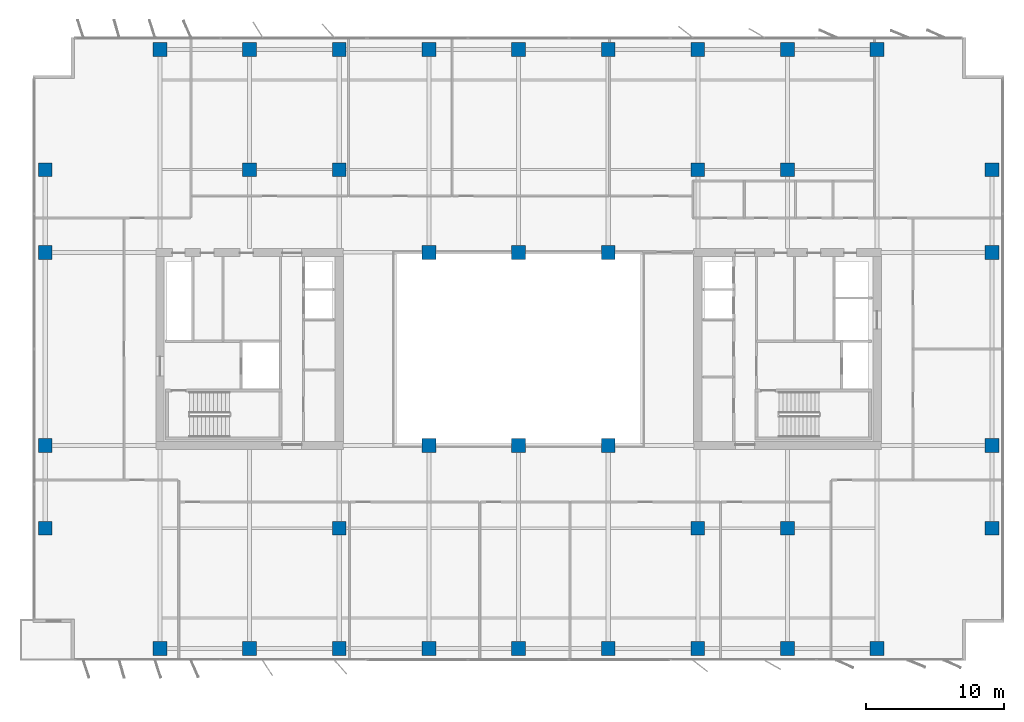
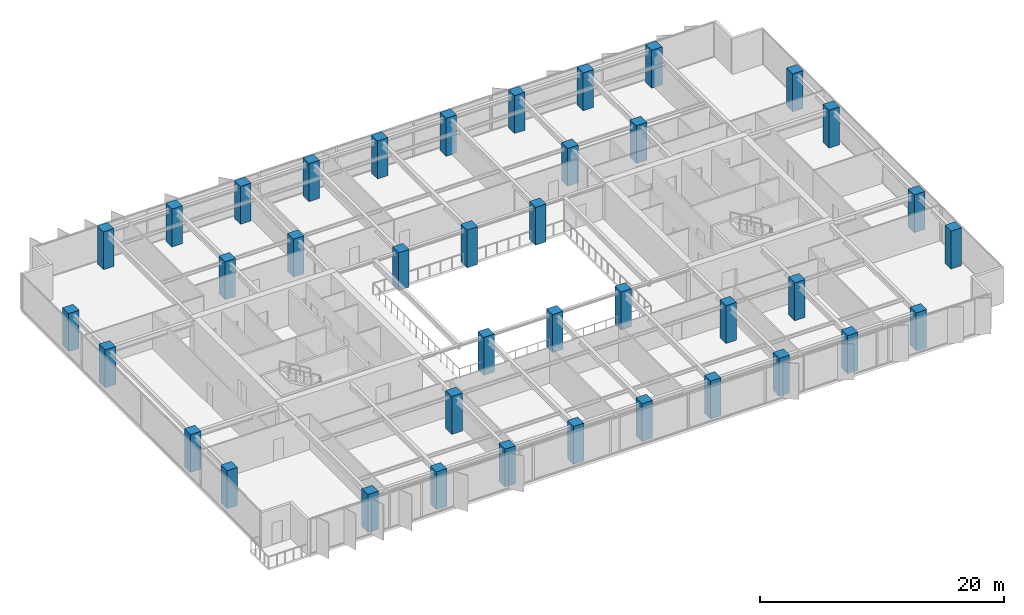
# One storey, part 1 of 22: 39 columns.
"""IFC4 building model written with IfcOpenShell, lengths in metres."""

from ifc_helpers import new_model, si_unit, direction, frame, origin, origin_2d, place, context, subcontext, project, spatial, rectangle, extrude, material, material_profile, profile_set, type_object, element, save


model = new_model("IFC4")

# Units and contexts
model_context = context("Model", 3, precision=1e-05, world=origin(), true_north=direction((0.0, 1.0)))
body_context = subcontext(model_context, "Body", "Model", "MODEL_VIEW")
ifc_project = project(units=[si_unit("LENGTHUNIT", "METRE"), si_unit("AREAUNIT", "SQUARE_METRE"), si_unit("VOLUMEUNIT", "CUBIC_METRE"), si_unit("PLANEANGLEUNIT", "RADIAN"), si_unit("MASSUNIT", "GRAM", prefix="KILO")], contexts=[model_context])

# Site, building, storey
site_placement = place(None, origin())
site = spatial("IfcSite", under=ifc_project, at=site_placement, CompositionType="ELEMENT")
building_placement = place(site_placement, origin())
building = spatial("IfcBuilding", under=site, at=building_placement, Name="Putna Gate Headquarters", CompositionType="ELEMENT")
storey_placement = place(building_placement, frame((0.0, 0.0, 167.0)))
storey = spatial("IfcBuildingStorey", under=building, at=storey_placement, Name="L41", CompositionType="ELEMENT", Elevation=167.0)

# Columns
ifc_material = material(Name="Concrete C50/60", Category="concrete")
ifc_material_profile_1 = material_profile(ifc_material, rectangle(XDim=1.0, YDim=1.0, at=origin_2d()), Name="Concrete C50/60")
ifc_profile_set_1 = profile_set([ifc_material_profile_1], Name="Concrete C50/60")
column_type_1 = type_object("IfcColumnType", Name="COL-RC1000-EXT", PredefinedType="COLUMN", material=ifc_profile_set_1)
for number, where, z_axis, x_axis, name in (
    (1, (13.0, 4.280029296875, 0.0), (0.0, 0.0, 1.0), (1.0, 0.0, 0.0), "L41 Column CP-S13"),
    (2, (13.0, 47.719970703125, 0.0), (0.0, 0.0, 1.0), (1.0, 0.0, 0.0), "L41 Column CP-N13"),
    (3, (19.5, 4.280029296875, 0.0), (0.0, 0.0, 1.0), (1.0, 0.0, 0.0), "L41 Column CP-S19"),
    (4, (19.5, 47.719970703125, 0.0), (0.0, 0.0, 1.0), (1.0, 0.0, 0.0), "L41 Column CP-N19"),
    (5, (26.0, 4.280029296875, 0.0), (0.0, 0.0, 1.0), (1.0, 0.0, 0.0), "L41 Column CP-S26"),
    (6, (26.0, 47.719970703125, 0.0), (0.0, 0.0, 1.0), (1.0, 0.0, 0.0), "L41 Column CP-N26"),
    (7, (32.5, 4.280029296875, 0.0), (0.0, 0.0, 1.0), (1.0, 0.0, 0.0), "L41 Column CP-S32"),
    (8, (32.5, 47.719970703125, 0.0), (0.0, 0.0, 1.0), (1.0, 0.0, 0.0), "L41 Column CP-N32"),
    (9, (39.0, 4.280029296875, 0.0), (0.0, 0.0, 1.0), (1.0, 0.0, 0.0), "L41 Column CP-S39"),
    (10, (39.0, 47.719970703125, 0.0), (0.0, 0.0, 1.0), (1.0, 0.0, 0.0), "L41 Column CP-N39"),
    (11, (45.5, 4.280029296875, 0.0), (0.0, 0.0, 1.0), (1.0, 0.0, 0.0), "L41 Column CP-S45"),
    (12, (45.5, 47.719970703125, 0.0), (0.0, 0.0, 1.0), (1.0, 0.0, 0.0), "L41 Column CP-N45"),
    (13, (52.0, 4.280029296875, 0.0), (0.0, 0.0, 1.0), (1.0, 0.0, 0.0), "L41 Column CP-S52"),
    (14, (52.0, 47.719970703125, 0.0), (0.0, 0.0, 1.0), (1.0, 0.0, 0.0), "L41 Column CP-N52"),
    (15, (58.5, 4.280029296875, 0.0), (0.0, 0.0, 1.0), (1.0, 0.0, 0.0), "L41 Column CP-S58"),
    (16, (58.5, 47.719970703125, 0.0), (0.0, 0.0, 1.0), (1.0, 0.0, 0.0), "L41 Column CP-N58"),
    (17, (65.0, 4.280029296875, 0.0), (0.0, 0.0, 1.0), (1.0, 0.0, 0.0), "L41 Column CP-S65"),
    (18, (65.0, 47.719970703125, 0.0), (0.0, 0.0, 1.0), (1.0, 0.0, 0.0), "L41 Column CP-N65"),
    (19, (4.679931640625, 13.0, 0.0), (0.0, 0.0, 1.0), (1.0, 0.0, 0.0), "L41 Column CP-W13"),
    (20, (73.320068359375, 13.0, 0.0), (0.0, 0.0, 1.0), (1.0, 0.0, 0.0), "L41 Column CP-E13"),
    (21, (4.679931640625, 19.0, 0.0), (0.0, 0.0, 1.0), (1.0, 0.0, 0.0), "L41 Column CP-W19"),
    (22, (73.320068359375, 19.0, 0.0), (0.0, 0.0, 1.0), (1.0, 0.0, 0.0), "L41 Column CP-E19"),
    (23, (4.679931640625, 33.0, 0.0), (0.0, 0.0, 1.0), (1.0, 0.0, 0.0), "L41 Column CP-W33"),
    (24, (73.320068359375, 33.0, 0.0), (0.0, 0.0, 1.0), (1.0, 0.0, 0.0), "L41 Column CP-E33"),
    (25, (4.679931640625, 39.0, 0.0), (0.0, 0.0, 1.0), (1.0, 0.0, 0.0), "L41 Column CP-W39"),
    (26, (73.320068359375, 39.0, 0.0), (0.0, 0.0, 1.0), (1.0, 0.0, 0.0), "L41 Column CP-E39"),
):
    element("IfcColumn", number, at=place(storey_placement, frame(where, z_axis=z_axis, x_axis=x_axis)), inside=storey, type_object=column_type_1, Name=name, PredefinedType="COLUMN", context=body_context, shape_type="SweptSolid", body=[
        extrude(rectangle(XDim=1.0, YDim=1.0, at=origin_2d()), origin(), (0.0, 0.0, 1.0), 3.800048828125),
    ])
ifc_material_profile_2 = material_profile(ifc_material, rectangle(XDim=1.0, YDim=1.0, at=origin_2d()), Name="Concrete C50/60")
ifc_profile_set_2 = profile_set([ifc_material_profile_2], Name="Concrete C50/60")
column_type_2 = type_object("IfcColumnType", Name="COL-RC1000-INT", PredefinedType="COLUMN", material=ifc_profile_set_2)
for number, where, z_axis, x_axis, name in (
    (27, (19.5, 39.0, 0.0), (0.0, 0.0, 1.0), (1.0, 0.0, 0.0), "L41 Column CSI-WN"),
    (28, (58.5, 13.0, 0.0), (0.0, 0.0, 1.0), (1.0, 0.0, 0.0), "L41 Column CSI-ES"),
    (29, (58.5, 39.0, 0.0), (0.0, 0.0, 1.0), (1.0, 0.0, 0.0), "L41 Column CSI-EN"),
    (30, (32.5, 19.0, 0.0), (0.0, 0.0, 1.0), (1.0, 0.0, 0.0), "L41 Column CAI-S32"),
    (31, (32.5, 33.0, 0.0), (0.0, 0.0, 1.0), (1.0, 0.0, 0.0), "L41 Column CAI-N32"),
    (32, (39.0, 19.0, 0.0), (0.0, 0.0, 1.0), (1.0, 0.0, 0.0), "L41 Column CAI-S39"),
    (33, (39.0, 33.0, 0.0), (0.0, 0.0, 1.0), (1.0, 0.0, 0.0), "L41 Column CAI-N39"),
    (34, (45.5, 19.0, 0.0), (0.0, 0.0, 1.0), (1.0, 0.0, 0.0), "L41 Column CAI-S45"),
    (35, (45.5, 33.0, 0.0), (0.0, 0.0, 1.0), (1.0, 0.0, 0.0), "L41 Column CAI-N45"),
    (36, (26.0, 13.0, 0.0), (0.0, 0.0, 1.0), (1.0, 0.0, 0.0), "L41 Column CAP-WS"),
    (37, (26.0, 39.0, 0.0), (0.0, 0.0, 1.0), (1.0, 0.0, 0.0), "L41 Column CAP-WN"),
    (38, (52.0, 13.0, 0.0), (0.0, 0.0, 1.0), (1.0, 0.0, 0.0), "L41 Column CAP-ES"),
    (39, (52.0, 39.0, 0.0), (0.0, 0.0, 1.0), (1.0, 0.0, 0.0), "L41 Column CAP-EN"),
):
    element("IfcColumn", number, at=place(storey_placement, frame(where, z_axis=z_axis, x_axis=x_axis)), inside=storey, type_object=column_type_2, Name=name, PredefinedType="COLUMN", context=body_context, shape_type="SweptSolid", body=[
        extrude(rectangle(XDim=1.0, YDim=1.0, at=origin_2d()), origin(), (0.0, 0.0, 1.0), 3.800048828125),
    ])

save(model, "model.ifc")
